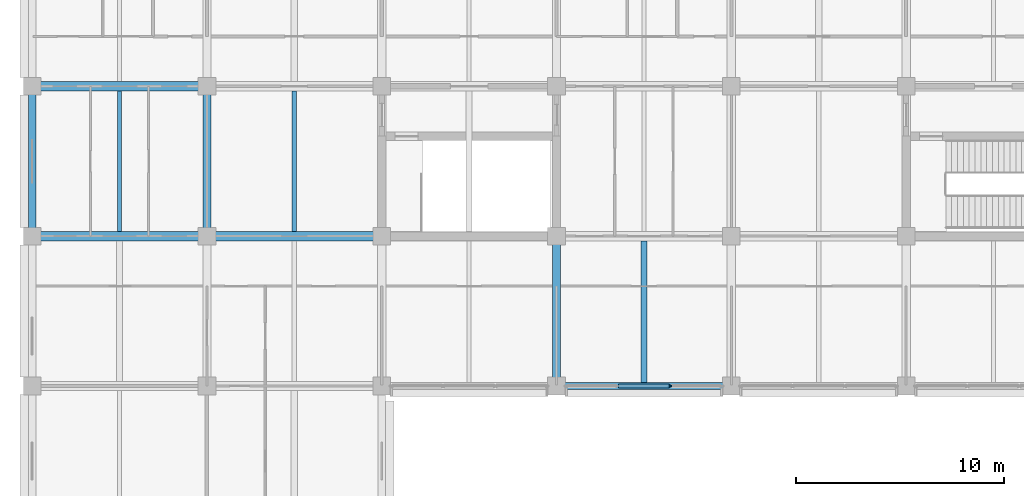
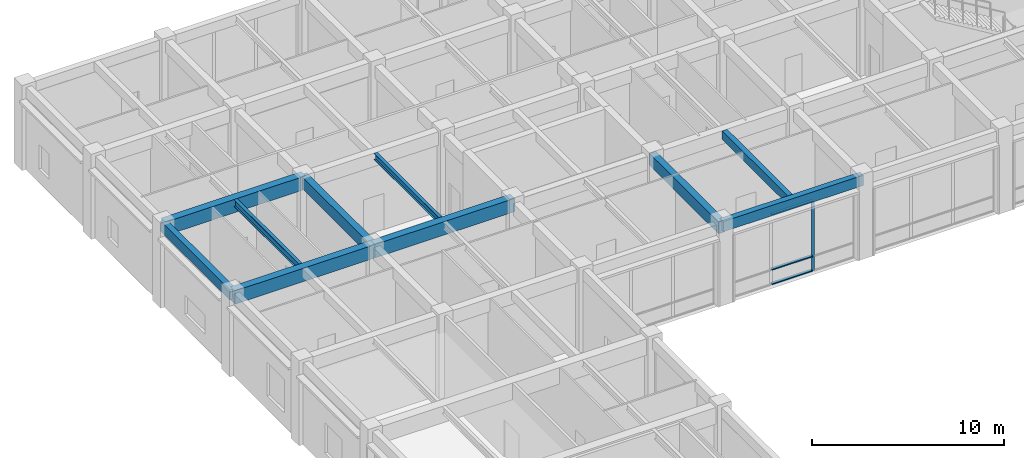
# One storey, part 4 of 58: 10 beams, 4 members, 1 element without a shape of its own.
"""IFC4 building model written with IfcOpenShell, lengths in metres."""

from ifc_helpers import new_model, si_unit, direction, frame, origin, origin_2d, place, context, subcontext, project, spatial, rectangle, i_section, extrude, material, layer, layer_set, material_profile, profile_set, type_object, element, aggregate, save


model = new_model("IFC4")

# Units and contexts
model_context = context("Model", 3, precision=1e-05, world=origin(), true_north=direction((0.0, 1.0)))
body_context = subcontext(model_context, "Body", "Model", "MODEL_VIEW")
ifc_project = project(units=[si_unit("LENGTHUNIT", "METRE"), si_unit("AREAUNIT", "SQUARE_METRE"), si_unit("VOLUMEUNIT", "CUBIC_METRE"), si_unit("PLANEANGLEUNIT", "RADIAN"), si_unit("MASSUNIT", "GRAM", prefix="KILO")], contexts=[model_context])

# Site, building, storey
site_placement = place(None, origin())
site = spatial("IfcSite", under=ifc_project, at=site_placement, CompositionType="ELEMENT")
building_placement = place(site_placement, origin())
building = spatial("IfcBuilding", under=site, at=building_placement, Name="Chengyuan Square Courthouse", CompositionType="ELEMENT")
storey_placement = place(building_placement, frame((0.0, 0.0, 16.199951171875)))
storey = spatial("IfcBuildingStorey", under=building, at=storey_placement, Name="L04", CompositionType="ELEMENT", Elevation=16.199951171875)

# Beams
ifc_material_1 = material(Name="Concrete C40", Category="concrete")
ifc_material_profile_1 = material_profile(ifc_material_1, rectangle(XDim=0.449951171875, YDim=0.85009765625, at=origin_2d()), Name="RC-BM-450x850")
ifc_profile_set_1 = profile_set([ifc_material_profile_1], Name="Concrete C40")
beam_type_1 = type_object("IfcBeamType", Name="BM-01", PredefinedType="USERDEFINED", material=ifc_profile_set_1)
beam_1_placement = place(storey_placement, frame((0.0, 86.39990234375, 4.775146484375), z_axis=(1.0, 0.0, 0.0), x_axis=(0.0, 1.0, 0.0)))
element("IfcBeam", 1, at=beam_1_placement, inside=storey, type_object=beam_type_1, Name="Girder BM-L04-2881", ObjectType="GIRDER", PredefinedType="USERDEFINED", context=body_context, shape_type="SweptSolid", body=[
    extrude(rectangle(XDim=0.449951171875, YDim=0.85009765625, at=origin_2d()), origin(), (0.0, 0.0, 1.0), 8.39990234375),
])
beam_2_placement = place(storey_placement, frame((8.39990234375, 86.39990234375, 4.775146484375), z_axis=(1.0, 0.0, 0.0), x_axis=(0.0, 1.0, 0.0)))
element("IfcBeam", 2, at=beam_2_placement, inside=storey, type_object=beam_type_1, Name="Girder BM-L04-2882", ObjectType="GIRDER", PredefinedType="USERDEFINED", context=body_context, shape_type="SweptSolid", body=[
    extrude(rectangle(XDim=0.449951171875, YDim=0.85009765625, at=origin_2d()), origin(), (0.0, 0.0, 1.0), 8.400146484375),
])
beam_3_placement = place(storey_placement, frame((0.0, 93.60009765625, 4.775146484375), z_axis=(1.0, 0.0, 0.0), x_axis=(0.0, 1.0, 0.0)))
element("IfcBeam", 3, at=beam_3_placement, inside=storey, type_object=beam_type_1, Name="Girder BM-L04-2901", ObjectType="GIRDER", PredefinedType="USERDEFINED", context=body_context, shape_type="SweptSolid", body=[
    extrude(rectangle(XDim=0.449951171875, YDim=0.85009765625, at=origin_2d()), origin(), (0.0, 0.0, 1.0), 8.39990234375),
])
ifc_material_profile_2 = material_profile(ifc_material_1, rectangle(XDim=0.39990234375, YDim=0.75, at=origin_2d()), Name="RC-BM-400x750")
ifc_profile_set_2 = profile_set([ifc_material_profile_2], Name="Concrete C40")
beam_type_2 = type_object("IfcBeamType", Name="BM-02", PredefinedType="USERDEFINED", material=ifc_profile_set_2)
beam_4_placement = place(storey_placement, frame((8.39990234375, 86.39990234375, 4.824951171875), z_axis=(0.0, 1.0, 0.0), x_axis=(-1.0, 0.0, 0.0)))
element("IfcBeam", 4, at=beam_4_placement, inside=storey, type_object=beam_type_2, Name="Girder BM-L04-2980", ObjectType="GIRDER", PredefinedType="USERDEFINED", context=body_context, shape_type="SweptSolid", body=[
    extrude(rectangle(XDim=0.39990234375, YDim=0.75, at=origin_2d()), origin(), (0.0, 0.0, 1.0), 7.2001953125),
])
beam_5_placement = place(storey_placement, frame((25.199951171875, 79.199951171875, 4.675048828125), z_axis=(0.0, 1.0, 0.0), x_axis=(-1.0, 0.0, 0.0)))
element("IfcBeam", 5, at=beam_5_placement, inside=storey, type_object=beam_type_2, Name="Girder BM-L04-2993", ObjectType="GIRDER", PredefinedType="USERDEFINED", context=body_context, shape_type="SweptSolid", body=[
    extrude(rectangle(XDim=0.39990234375, YDim=0.75, at=origin_2d()), origin(), (0.0, 0.0, 1.0), 7.199951171875),
])
ifc_material_profile_3 = material_profile(ifc_material_1, rectangle(XDim=0.35009765625, YDim=0.64990234375, at=origin_2d()), Name="RC-BM-350x650")
ifc_profile_set_3 = profile_set([ifc_material_profile_3], Name="Concrete C40")
beam_type_3 = type_object("IfcBeamType", Name="BM-03", PredefinedType="SPANDREL", material=ifc_profile_set_3)
beam_6_placement = place(storey_placement, frame((25.199951171875, 79.199951171875, 4.795166015625), z_axis=(1.0, 0.0, 0.0), x_axis=(0.0, 1.0, 0.0)))
element("IfcBeam", 6, at=beam_6_placement, inside=storey, type_object=beam_type_3, Name="Girder BM-L04-2864", PredefinedType="SPANDREL", context=body_context, shape_type="SweptSolid", body=[
    extrude(rectangle(XDim=0.35009765625, YDim=0.64990234375, at=origin_2d()), origin(), (0.0, 0.0, 1.0), 8.400146484375),
])
beam_7_placement = place(storey_placement, frame((0.0, 86.39990234375, 4.875), z_axis=(0.0, 1.0, 0.0), x_axis=(-1.0, 0.0, 0.0)))
element("IfcBeam", 7, at=beam_7_placement, inside=storey, type_object=beam_type_3, Name="Girder BM-L04-2976", PredefinedType="SPANDREL", context=body_context, shape_type="SweptSolid", body=[
    extrude(rectangle(XDim=0.35009765625, YDim=0.64990234375, at=origin_2d()), origin(), (0.0, 0.0, 1.0), 7.2001953125),
])
ifc_material_profile_4 = material_profile(ifc_material_1, rectangle(XDim=0.300048828125, YDim=0.550048828125, at=origin_2d()), Name="RC-BM-300x550")
ifc_profile_set_4 = profile_set([ifc_material_profile_4], Name="Concrete C40")
beam_type_4 = type_object("IfcBeamType", Name="BM-04", PredefinedType="BEAM", material=ifc_profile_set_4)
beam_8_placement = place(storey_placement, frame((29.39990234375, 79.375, 4.844970703125), z_axis=(0.0, 1.0, 0.0), x_axis=(-1.0, 0.0, 0.0)))
element("IfcBeam", 8, at=beam_8_placement, inside=storey, type_object=beam_type_4, Name="Secondary Floor Beam SBM-L04-3117", PredefinedType="BEAM", context=body_context, shape_type="SweptSolid", body=[
    extrude(rectangle(XDim=0.300048828125, YDim=0.550048828125, at=origin_2d()), origin(), (0.0, 0.0, 1.0), 6.800048828125),
])
ifc_material_2 = material(Name="Steel Q355B", Category="steel")
ifc_material_profile_5 = material_profile(ifc_material_2, i_section(OverallWidth=0.199951171875, OverallDepth=0.449951171875, WebThickness=0.009033203125, FlangeThickness=0.013916015625, at=origin_2d()), Name="HN 450x200x9x14")
ifc_profile_set_5 = profile_set([ifc_material_profile_5], Name="Steel Q355B")
beam_type_5 = type_object("IfcBeamType", Name="BM-06", PredefinedType="BEAM", material=ifc_profile_set_5)
beam_9_placement = place(storey_placement, frame((4.199951171875, 86.625, 4.97509765625), z_axis=(0.0, 1.0, 0.0), x_axis=(-1.0, 0.0, 0.0)))
element("IfcBeam", 9, at=beam_9_placement, inside=storey, type_object=beam_type_5, Name="Secondary Floor Beam SBM-L04-3100", PredefinedType="BEAM", context=body_context, shape_type="SweptSolid", body=[
    extrude(i_section(OverallWidth=0.199951171875, OverallDepth=0.449951171875, WebThickness=0.009033203125, FlangeThickness=0.013916015625, at=origin_2d()), origin(), (0.0, 0.0, 1.0), 6.75),
])
ifc_material_profile_6 = material_profile(ifc_material_2, i_section(OverallWidth=0.199951171875, OverallDepth=0.39990234375, WebThickness=0.008056640625, FlangeThickness=0.012939453125, at=origin_2d()), Name="HN 400x200x8x13")
ifc_profile_set_6 = profile_set([ifc_material_profile_6], Name="Steel Q355B")
beam_type_6 = type_object("IfcBeamType", Name="BM-07", PredefinedType="BEAM", material=ifc_profile_set_6)
beam_10_placement = place(storey_placement, frame((12.60009765625, 86.625, 5.0), z_axis=(0.0, 1.0, 0.0), x_axis=(-1.0, 0.0, 0.0)))
element("IfcBeam", 10, at=beam_10_placement, inside=storey, type_object=beam_type_6, Name="Secondary Floor Beam SBM-L04-3110", PredefinedType="BEAM", context=body_context, shape_type="SweptSolid", body=[
    extrude(i_section(OverallWidth=0.199951171875, OverallDepth=0.39990234375, WebThickness=0.008056640625, FlangeThickness=0.012939453125, at=origin_2d()), origin(), (0.0, 0.0, 1.0), 6.75),
])

# Curtain wall, members
ifc_material_3 = material(Name="Unitised Aluminium and Triple Low-E Glass", Category="aluminium")
ifc_layer = layer(ifc_material_3, 0.179931640625)
ifc_layer_set = layer_set([ifc_layer], Name="Unitised Aluminium and Triple Low-E Glass")
curtain_wall_type = type_object("IfcCurtainWallType", Name="CW-10", PredefinedType="USERDEFINED", material=ifc_layer_set)
curtain_wall_placement = place(storey_placement, origin())
curtain_wall = element("IfcCurtainWall", 11, at=curtain_wall_placement, inside=storey, type_object=curtain_wall_type, Name="Unitised Curtain Wall CW-L04-135", ObjectType="UNITISED CURTAIN WALL", PredefinedType="USERDEFINED")
ifc_material_4 = material(Name="Aluminium 6063-T6 Frame", Category="aluminium")
ifc_material_profile_7 = material_profile(ifc_material_4, rectangle(XDim=0.06494140625, YDim=0.179931640625, at=origin_2d()), Name="CW-MUL-65x180")
ifc_profile_set_7 = profile_set([ifc_material_profile_7], Name="Aluminium 6063-T6 Frame")
member_type_1 = type_object("IfcMemberType", Name="CWM-02", PredefinedType="MULLION", material=ifc_profile_set_7)
member_1_placement = place(storey_placement, frame((30.658447265625, 79.199951171875, 0.0), z_axis=(0.0, 0.0, 1.0), x_axis=(0.0, 1.0, 0.0)))
member_1 = element("IfcMember", 12, at=member_1_placement, type_object=member_type_1, Name="CW-10 mullion 3", PredefinedType="MULLION", context=body_context, shape_type="SweptSolid", body=[
    extrude(rectangle(XDim=0.06494140625, YDim=0.179931640625, at=origin_2d()), origin(), (0.0, 0.0, 1.0), 4.469970703125),
])
ifc_material_profile_8 = material_profile(ifc_material_4, rectangle(XDim=0.179931640625, YDim=0.06494140625, at=origin_2d()), Name="CW-TRN-65x140")
ifc_profile_set_8 = profile_set([ifc_material_profile_8], Name="Aluminium 6063-T6 Frame")
member_type_2 = type_object("IfcMemberType", Name="CWT-02", PredefinedType="USERDEFINED", material=ifc_profile_set_8)
member_2_placement = place(storey_placement, frame((28.174072265625, 79.199951171875, 0.032470703125), z_axis=(1.0, 0.0, 0.0), x_axis=(0.0, 1.0, 0.0)))
member_2 = element("IfcMember", 13, at=member_2_placement, type_object=member_type_2, Name="CW-10 transom 2.1", ObjectType="TRANSOM", PredefinedType="USERDEFINED", context=body_context, shape_type="SweptSolid", body=[
    extrude(rectangle(XDim=0.179931640625, YDim=0.06494140625, at=origin_2d()), origin(), (0.0, 0.0, 1.0), 2.45166015625),
])
member_3_placement = place(storey_placement, frame((28.174072265625, 79.199951171875, 0.949951171875), z_axis=(1.0, 0.0, 0.0), x_axis=(0.0, 1.0, 0.0)))
member_3 = element("IfcMember", 14, at=member_3_placement, type_object=member_type_2, Name="CW-10 transom 2.2", ObjectType="TRANSOM", PredefinedType="USERDEFINED", context=body_context, shape_type="SweptSolid", body=[
    extrude(rectangle(XDim=0.179931640625, YDim=0.06494140625, at=origin_2d()), origin(), (0.0, 0.0, 1.0), 2.45166015625),
])
member_4_placement = place(storey_placement, frame((28.174072265625, 79.199951171875, 4.4375), z_axis=(1.0, 0.0, 0.0), x_axis=(0.0, 1.0, 0.0)))
member_4 = element("IfcMember", 15, at=member_4_placement, type_object=member_type_2, Name="CW-10 transom 2.3", ObjectType="TRANSOM", PredefinedType="USERDEFINED", context=body_context, shape_type="SweptSolid", body=[
    extrude(rectangle(XDim=0.179931640625, YDim=0.06494140625, at=origin_2d()), origin(), (0.0, 0.0, 1.0), 2.45166015625),
])
aggregate(curtain_wall, [member_1, member_2, member_3, member_4])

save(model, "model.ifc")
